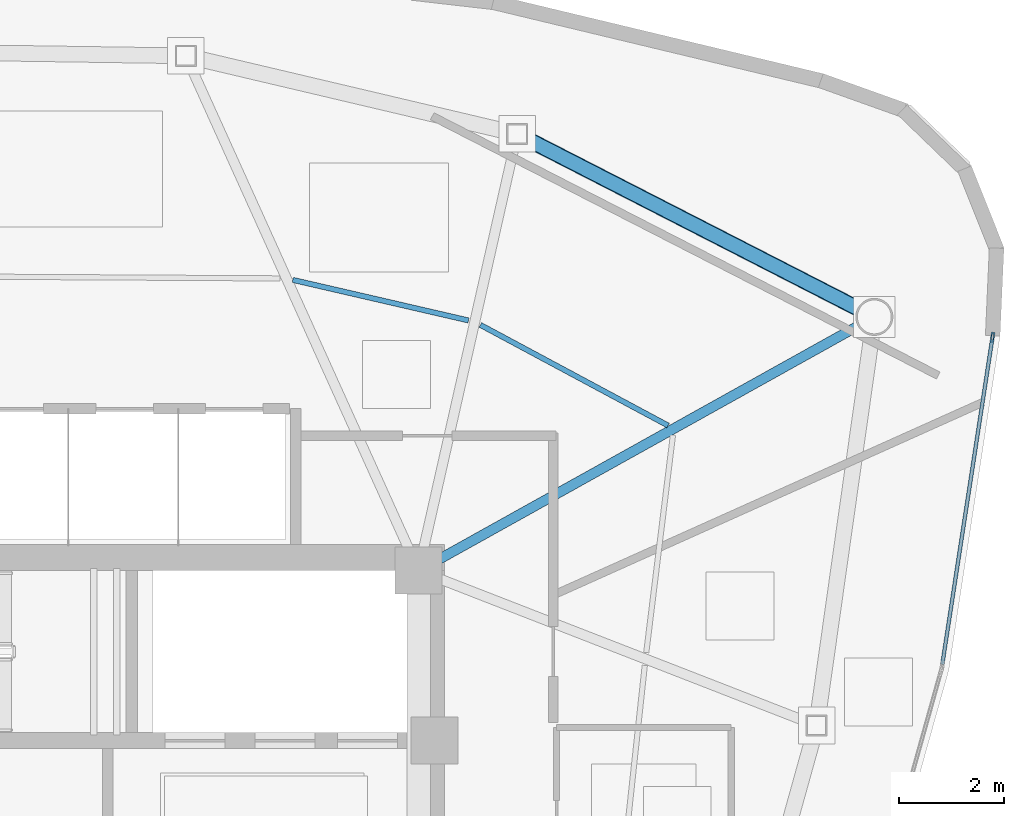
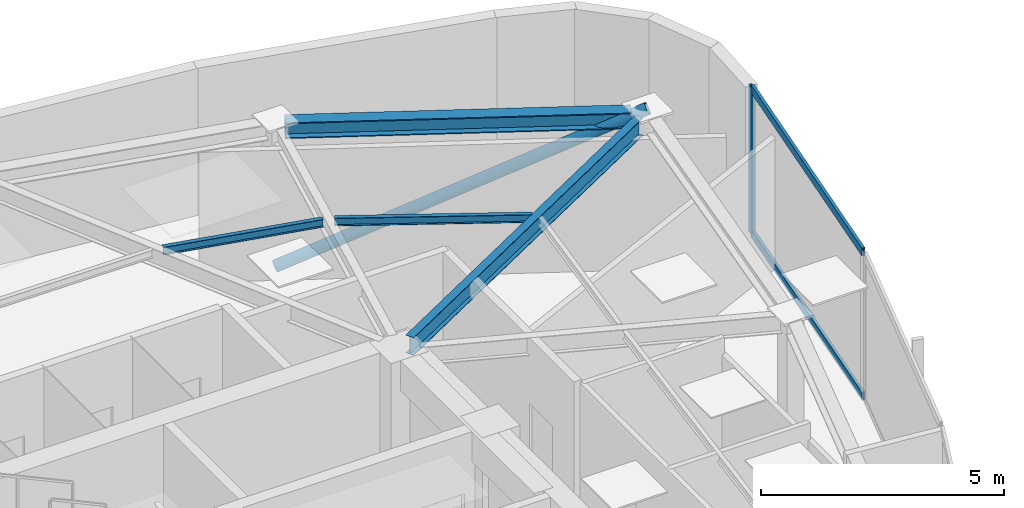
# One storey, part 6 of 11: 4 beams, 4 members, 1 element without a shape of its own.
"""IFC4 building model written with IfcOpenShell, lengths in metres."""

from ifc_helpers import new_model, si_unit, direction, frame, origin, origin_2d, place, context, subcontext, project, spatial, hollow_rectangle, hollow_circle, i_section, extrude, source, transform, mapped, material, layer, layer_set, material_profile, profile_set, type_object, type_shapes, element, aggregate, save


model = new_model("IFC4")

# Units and contexts
model_context = context("Model", 3, precision=1e-05, world=origin(), true_north=direction((0.0, 1.0)))
body_context = subcontext(model_context, "Body", "Model", "MODEL_VIEW")
ifc_project = project(units=[si_unit("LENGTHUNIT", "METRE"), si_unit("AREAUNIT", "SQUARE_METRE"), si_unit("VOLUMEUNIT", "CUBIC_METRE"), si_unit("PLANEANGLEUNIT", "RADIAN"), si_unit("MASSUNIT", "GRAM", prefix="KILO")], contexts=[model_context])

# Site, building, storey
site_placement = place(None, origin())
site = spatial("IfcSite", under=ifc_project, at=site_placement, CompositionType="ELEMENT")
building_placement = place(site_placement, origin())
building = spatial("IfcBuilding", under=site, at=building_placement, Name="Tavelor Broadcast Tower", CompositionType="ELEMENT")
storey_placement = place(building_placement, frame((0.0, 0.0, 313.5)))
storey = spatial("IfcBuildingStorey", under=building, at=storey_placement, Name="L75", CompositionType="ELEMENT", Elevation=313.5)

# Beams
ifc_material_1 = material(Name="Steel S355", Category="steel")
ifc_material_profile_1 = material_profile(ifc_material_1, i_section(OverallWidth=0.10009765625, OverallDepth=0.199951171875, WebThickness=0.005615234375, FlangeThickness=0.008544921875, at=origin_2d()), Name="IPE 200")
ifc_profile_set_1 = profile_set([ifc_material_profile_1], Name="Steel S355")
beam_type_1 = type_object("IfcBeamType", Name="Composite Floor Joist T8 IPE 200", PredefinedType="JOIST", material=ifc_profile_set_1)
beam_1_placement = place(storey_placement, frame((61.372802734375, 53.97705078125, 3.60009765625), z_axis=(-0.881270485995, 0.47261224118, 0.0), x_axis=(-0.47261224118, -0.881270485995, 0.0)))
element("IfcBeam", 1, at=beam_1_placement, inside=storey, type_object=beam_type_1, Name="L75 Secondary Composite Floor Joist 13", PredefinedType="JOIST", context=body_context, shape_type="SweptSolid", body=[
    extrude(i_section(OverallWidth=0.10009765625, OverallDepth=0.199951171875, WebThickness=0.005615234375, FlangeThickness=0.008544921875, at=origin_2d()), origin(), (0.0, 0.0, 1.0), 4.0732421875),
])
beam_2_placement = place(storey_placement, frame((57.553466796875, 55.98828125, 3.60009765625), z_axis=(-0.974380456478, 0.224906038232, 0.0), x_axis=(-0.224906038232, -0.974380456478, 0.0)))
element("IfcBeam", 2, at=beam_2_placement, inside=storey, type_object=beam_type_1, Name="L75 Secondary Composite Floor Joist 14", PredefinedType="JOIST", context=body_context, shape_type="SweptSolid", body=[
    extrude(i_section(OverallWidth=0.10009765625, OverallDepth=0.199951171875, WebThickness=0.005615234375, FlangeThickness=0.008544921875, at=origin_2d()), origin(), (0.0, 0.0, 1.0), 3.44873046875),
])
ifc_material_profile_2 = material_profile(ifc_material_1, i_section(OverallWidth=0.300048828125, OverallDepth=0.39990234375, WebThickness=0.013427734375, FlangeThickness=0.02392578125, at=origin_2d()), Name="HEB 400")
ifc_profile_set_2 = profile_set([ifc_material_profile_2], Name="Steel S355")
beam_type_2 = type_object("IfcBeamType", Name="Perimeter Spandrel Beam T8 HEB 400", PredefinedType="SPANDREL", material=ifc_profile_set_2)
beam_3_placement = place(storey_placement, frame((65.015869140625, 56.211181640625, 3.5), z_axis=(-0.889983170291, 0.455993373415, 0.0), x_axis=(-0.455993373415, -0.889983170291, 0.0)))
element("IfcBeam", 3, at=beam_3_placement, inside=storey, type_object=beam_type_2, Name="L75 Framed-Tube Ring Spandrel 13", PredefinedType="SPANDREL", context=body_context, shape_type="SweptSolid", body=[
    extrude(i_section(OverallWidth=0.300048828125, OverallDepth=0.39990234375, WebThickness=0.013427734375, FlangeThickness=0.02392578125, at=origin_2d()), origin(), (0.0, 0.0, 1.0), 7.1455078125),
])

# Member
ifc_material_profile_3 = material_profile(ifc_material_1, hollow_circle(Radius=0.136474609375, WallThickness=0.012451171875, at=origin_2d()), Name="CHS 273x12.5")
ifc_profile_set_3 = profile_set([ifc_material_profile_3], Name="Steel S355")
member_type_1 = type_object("IfcMemberType", Name="Perimeter Tube Brace T8 CHS 273x12.5", PredefinedType="BRACE", material=ifc_profile_set_3)
member_1_placement = place(storey_placement, frame((58.485595703125, 59.55712890625, 0.0), z_axis=(0.801763897696, -0.410792291396, 0.434078732123), x_axis=(0.455992584505, 0.889983574498, 0.0)))
element("IfcMember", 4, at=member_1_placement, inside=storey, type_object=member_type_1, Name="L75 Corner Tube Diagonal Brace 3", PredefinedType="BRACE", context=body_context, shape_type="SweptSolid", body=[
    extrude(hollow_circle(Radius=0.136474609375, WallThickness=0.012451171875, at=origin_2d()), origin(), (0.0, 0.0, 1.0), 8.523681640625),
])

# Beam
ifc_material_profile_4 = material_profile(ifc_material_1, i_section(OverallWidth=0.18994140625, OverallDepth=0.449951171875, WebThickness=0.009521484375, FlangeThickness=0.0146484375, at=origin_2d()), Name="IPE 450")
ifc_profile_set_4 = profile_set([ifc_material_profile_4], Name="Steel S355")
beam_type_3 = type_object("IfcBeamType", Name="Radial Floor Girder T8 IPE 450", PredefinedType="BEAM", material=ifc_profile_set_4)
beam_4_placement = place(storey_placement, frame((56.977294921875, 51.41015625, 3.47509765625), z_axis=(0.87366652502, 0.486525233734, 0.0), x_axis=(-0.486525233734, 0.87366652502, 0.0)))
element("IfcBeam", 5, at=beam_4_placement, inside=storey, type_object=beam_type_3, Name="L75 Radial Primary Floor Girder 13", PredefinedType="BEAM", context=body_context, shape_type="SweptSolid", body=[
    extrude(i_section(OverallWidth=0.18994140625, OverallDepth=0.449951171875, WebThickness=0.009521484375, FlangeThickness=0.0146484375, at=origin_2d()), origin(), (0.0, 0.0, 1.0), 9.20703125),
])

# Curtain wall, members
ifc_material_2 = material(Name="Architectural Anodized Aluminium", Category="aluminium")
ifc_layer = layer(ifc_material_2, 0.199951171875)
ifc_layer_set = layer_set([ifc_layer], Name="Architectural Anodized Aluminium")
curtain_wall_type = type_object("IfcCurtainWallType", Name="Tower High-Zone Triple-Glazed Curtain Wall CW04", PredefinedType="NOTDEFINED", material=ifc_layer_set)
curtain_wall_placement = place(storey_placement, origin())
curtain_wall = element("IfcCurtainWall", 6, at=curtain_wall_placement, inside=storey, type_object=curtain_wall_type, Name="L75 Curtain Wall CW04 Run 836", PredefinedType="NOTDEFINED")
ifc_material_profile_5 = material_profile(ifc_material_2, hollow_rectangle(XDim=0.070068359375, YDim=0.199951171875, WallThickness=0.02197265625, at=origin_2d()), Name="RHS 70x200x22")
ifc_profile_set_5 = profile_set([ifc_material_profile_5], Name="Architectural Anodized Aluminium")
member_type_2 = type_object("IfcMemberType", Name="CW04 Extruded Aluminium Mullion 70x200", PredefinedType="MULLION", material=ifc_profile_set_5)
shared_shape_1 = source(origin(), body_context, "Body", "SweptSolid", [
    extrude(hollow_rectangle(XDim=0.070068359375, YDim=0.199951171875, WallThickness=0.02197265625, at=origin_2d()), origin(), (0.0, 0.0, 1.0), 3.699951171875),
])
type_shapes(member_type_2, [shared_shape_1])
member_2_placement = place(storey_placement, frame((67.580322265625, 55.663330078125, 0.0), z_axis=(0.0, 0.0, 1.0), x_axis=(-0.988430575167, 0.151673986151, 0.0)))
member_2 = element("IfcMember", 7, at=member_2_placement, type_object=member_type_2, Name="CW04 mullion 2", PredefinedType="MULLION", context=body_context, shape_type="MappedRepresentation", body=[
    mapped(shared_shape_1, transform((0.0, 0.0, 0.0), scale=1.0)),
])
ifc_material_profile_6 = material_profile(ifc_material_2, hollow_rectangle(XDim=0.070068359375, YDim=0.199951171875, WallThickness=0.02197265625, at=origin_2d()), Name="RHS 70x200x22")
ifc_profile_set_6 = profile_set([ifc_material_profile_6], Name="Architectural Anodized Aluminium")
member_type_3 = type_object("IfcMemberType", Name="CW04 Extruded Aluminium Transom 70x200", PredefinedType="USERDEFINED", material=ifc_profile_set_6)
shared_shape_2 = source(origin(), body_context, "Body", "SweptSolid", [
    extrude(hollow_rectangle(XDim=0.070068359375, YDim=0.199951171875, WallThickness=0.02197265625, at=origin_2d()), origin(), (0.0, 0.0, 1.0), 6.292236328125),
])
type_shapes(member_type_3, [shared_shape_2])
member_3_placement = place(storey_placement, frame((66.62060546875, 49.409423828125, 0.034912109375), z_axis=(0.151707303501, 0.988425462068, 0.0), x_axis=(-0.988425462068, 0.151707303501, 0.0)))
member_3 = element("IfcMember", 8, at=member_3_placement, type_object=member_type_3, Name="CW04 transom 1.1", ObjectType="TRANSOM", PredefinedType="USERDEFINED", context=body_context, shape_type="MappedRepresentation", body=[
    mapped(shared_shape_2, transform((0.0, 0.0, 0.0), scale=1.0)),
])
member_4_placement = place(storey_placement, frame((66.62060546875, 49.409423828125, 3.6650390625), z_axis=(0.151707303501, 0.988425462068, 0.0), x_axis=(-0.988425462068, 0.151707303501, 0.0)))
member_4 = element("IfcMember", 9, at=member_4_placement, type_object=member_type_3, Name="CW04 transom 1.2", ObjectType="TRANSOM", PredefinedType="USERDEFINED", context=body_context, shape_type="MappedRepresentation", body=[
    mapped(shared_shape_2, transform((0.0, 0.0, 0.0), scale=1.0)),
])
aggregate(curtain_wall, [member_2, member_3, member_4])

save(model, "model.ifc")
